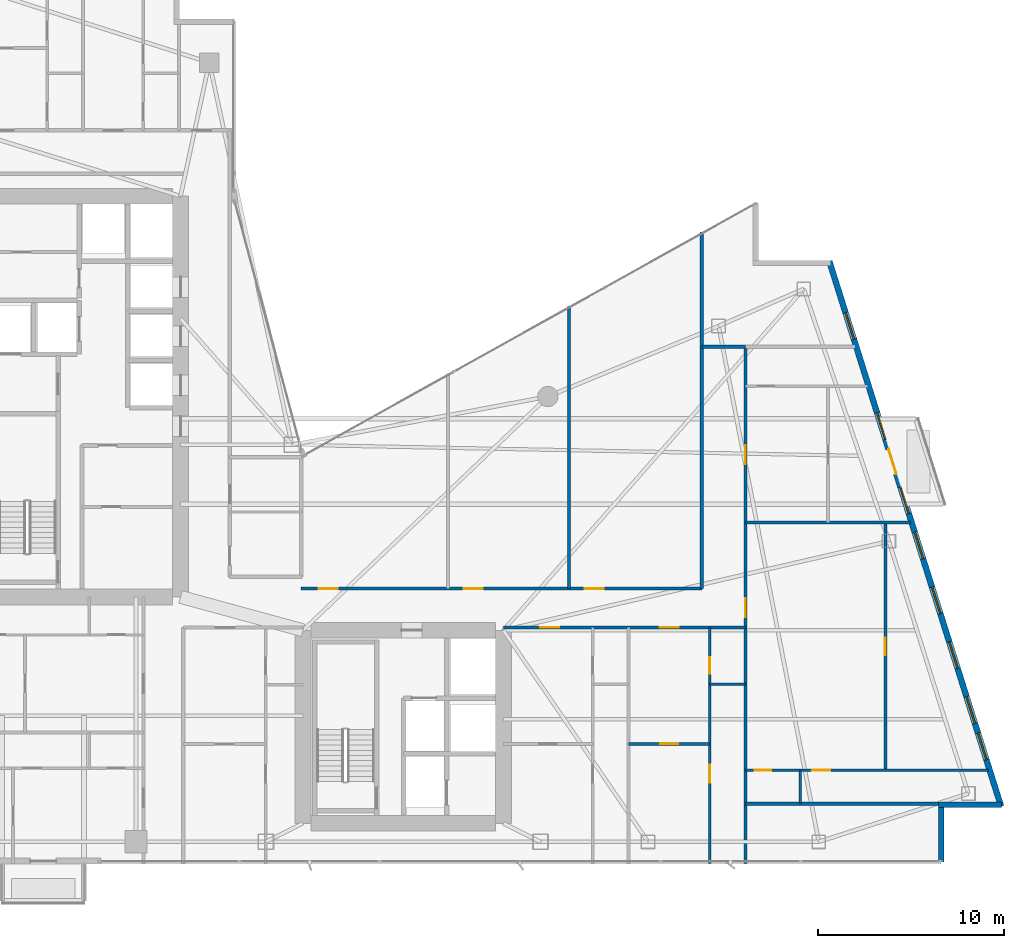
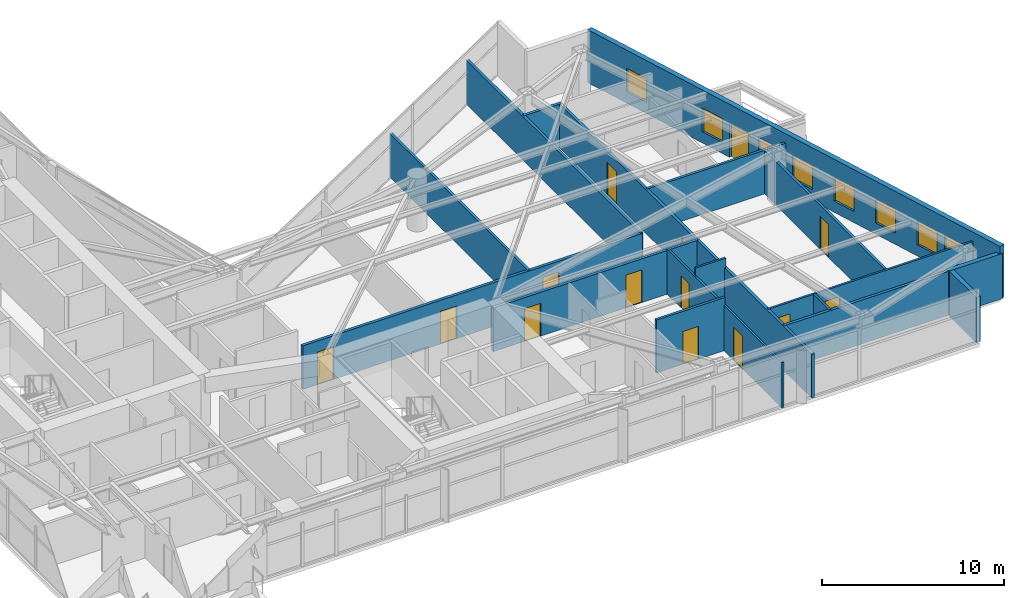
# One storey, part 24 of 28: 17 walls, 14 doors, 8 windows, 22 openings.
"""IFC4 building model written with IfcOpenShell, lengths in metres."""

from ifc_helpers import new_model, si_unit, direction, frame, frame_2d, origin, place, context, subcontext, project, spatial, rectangle, extrude, material, layer, layer_set, type_object, element, fill, save


model = new_model("IFC4")

# Units and contexts
model_context = context("Model", 3, precision=1e-05, world=origin(), true_north=direction((0.0, 1.0)))
body_context = subcontext(model_context, "Body", "Model", "MODEL_VIEW")
ifc_project = project(units=[si_unit("LENGTHUNIT", "METRE"), si_unit("AREAUNIT", "SQUARE_METRE"), si_unit("VOLUMEUNIT", "CUBIC_METRE"), si_unit("PLANEANGLEUNIT", "RADIAN"), si_unit("MASSUNIT", "GRAM", prefix="KILO")], contexts=[model_context])

# Site, building, storey
site_placement = place(None, origin())
site = spatial("IfcSite", under=ifc_project, at=site_placement, CompositionType="ELEMENT")
building_placement = place(site_placement, origin())
building = spatial("IfcBuilding", under=site, at=building_placement, Name="Calvorn Quay Hotel", CompositionType="ELEMENT")
storey_placement = place(building_placement, frame((0.0, 0.0, 159.89990234375)))
storey = spatial("IfcBuildingStorey", under=building, at=storey_placement, Name="L39", CompositionType="ELEMENT", Elevation=159.89990234375)

# Wall, openings, doors
ifc_material_1 = material(Name="Acoustic Fireboard Steel-Stud Partition", Category="steel")
ifc_layer_1 = layer(ifc_material_1, 0.179931640625)
ifc_layer_set_1 = layer_set([ifc_layer_1], Name="WL-CORR-FIRE-180")
wall_type_1 = type_object("IfcWallType", Name="WL-CORR-FIRE-180", PredefinedType="PARTITIONING", material=ifc_layer_set_1)
wall_1_placement = place(storey_placement, frame((32.39990234375, 15.14990234375, 0.0), z_axis=(0.0, 0.0, 1.0), x_axis=(1.0, 0.0, 0.0)))
wall_1 = element("IfcWall", 1, at=wall_1_placement, inside=storey, type_object=wall_type_1, Name="Partition Wall L39-WL-CORR-SE-S", PredefinedType="PARTITIONING", context=body_context, shape_type="SweptSolid", body=[
    extrude(rectangle(XDim=13.050048828125, YDim=0.179931640625, at=frame_2d((6.52490234375, 0.0))), origin(), (0.0, 0.0, 1.0), 2.940185546875),
])
opening_1_placement = place(wall_1_placement, frame((2.0, 0.0, 0.0)))
opening_1 = element("IfcOpeningElement", 2, at=opening_1_placement, cuts=wall_1, Name="Opening D-L39-U06", PredefinedType="OPENING", context=body_context, shape_type="SweptSolid", body=[
    extrude(rectangle(XDim=1.02001953125, YDim=2.199951171875, at=frame_2d((0.510009765625, 1.10009765625))), frame((0.0, 0.099853515625, 0.0), z_axis=(0.0, -1.0, 0.0), x_axis=(1.0, 0.0, 0.0)), (0.0, 0.0, 1.0), 0.199951171875),
])
opening_2_placement = place(wall_1_placement, frame((8.429931640625, 0.0, 0.0)))
opening_2 = element("IfcOpeningElement", 3, at=opening_2_placement, cuts=wall_1, Name="Opening D-L39-U07", PredefinedType="OPENING", context=body_context, shape_type="SweptSolid", body=[
    extrude(rectangle(XDim=1.02001953125, YDim=2.199951171875, at=frame_2d((0.510009765625, 1.10009765625))), frame((0.0, 0.099853515625, 0.0), z_axis=(0.0, -1.0, 0.0), x_axis=(1.0, 0.0, 0.0)), (0.0, 0.0, 1.0), 0.199951171875),
])
ifc_material_2 = material(Name="Solid-Core Walnut Veneer Hotel Fire Door")
door_type_1 = type_object("IfcDoorType", Name="DR-GUEST-ENTRY-1020", OperationType="NOTDEFINED", PredefinedType="DOOR", material=ifc_material_2)
door_1_placement = place(opening_1_placement, origin())
door_1 = element("IfcDoor", 4, at=door_1_placement, inside=storey, type_object=door_type_1, Name="South-East Unit Door U06 (L39)", OperationType="SINGLE_SWING_LEFT", OverallHeight=2.199951171875, OverallWidth=1.02001953125, PredefinedType="DOOR", context=body_context, shape_type="SweptSolid", body=[
    extrude(rectangle(XDim=1.02001953125, YDim=2.199951171875, at=frame_2d((0.510009765625, 1.10009765625))), frame((0.0, 0.02490234375, 0.0), z_axis=(0.0, -1.0, 0.0), x_axis=(1.0, 0.0, 0.0)), (0.0, 0.0, 1.0), 0.050048828125),
])
fill(opening_1, door_1)
door_2_placement = place(opening_2_placement, origin())
door_2 = element("IfcDoor", 5, at=door_2_placement, inside=storey, type_object=door_type_1, Name="South-East Unit Door U07 (L39)", OperationType="SINGLE_SWING_RIGHT", OverallHeight=2.199951171875, OverallWidth=1.02001953125, PredefinedType="DOOR", context=body_context, shape_type="SweptSolid", body=[
    extrude(rectangle(XDim=1.02001953125, YDim=2.199951171875, at=frame_2d((0.510009765625, 1.10009765625))), frame((0.0, 0.02490234375, 0.0), z_axis=(0.0, -1.0, 0.0), x_axis=(1.0, 0.0, 0.0)), (0.0, 0.0, 1.0), 0.050048828125),
])
fill(opening_2, door_2)

wall_2_placement = place(storey_placement, frame((21.5, 17.25, 0.0), z_axis=(0.0, 0.0, 1.0), x_axis=(1.0, 0.0, 0.0)))
wall_2 = element("IfcWall", 6, at=wall_2_placement, inside=storey, type_object=wall_type_1, Name="Partition Wall L39-WL-CORR-NE-N", PredefinedType="PARTITIONING", context=body_context, shape_type="SweptSolid", body=[
    extrude(rectangle(XDim=21.60009765625, YDim=0.179931640625, at=frame_2d((10.800048828125, 0.0))), origin(), (0.0, 0.0, 1.0), 2.940185546875),
])
opening_3_placement = place(wall_2_placement, frame((0.949951171875, 0.0, 0.0)))
opening_3 = element("IfcOpeningElement", 7, at=opening_3_placement, cuts=wall_2, Name="Opening D-L39-NS1", PredefinedType="OPENING", context=body_context, shape_type="SweptSolid", body=[
    extrude(rectangle(XDim=1.02001953125, YDim=2.199951171875, at=frame_2d((0.510009765625, 1.10009765625))), frame((0.0, 0.099853515625, 0.0), z_axis=(0.0, -1.0, 0.0), x_axis=(1.0, 0.0, 0.0)), (0.0, 0.0, 1.0), 0.199951171875),
])
opening_4_placement = place(wall_2_placement, frame((8.77001953125, 0.0, 0.0)))
opening_4 = element("IfcOpeningElement", 8, at=opening_4_placement, cuts=wall_2, Name="Opening D-L39-NS2", PredefinedType="OPENING", context=body_context, shape_type="SweptSolid", body=[
    extrude(rectangle(XDim=1.02001953125, YDim=2.199951171875, at=frame_2d((0.510009765625, 1.10009765625))), frame((0.0, 0.099853515625, 0.0), z_axis=(0.0, -1.0, 0.0), x_axis=(1.0, 0.0, 0.0)), (0.0, 0.0, 1.0), 0.199951171875),
])
opening_5_placement = place(wall_2_placement, frame((15.280029296875, 0.0, 0.0)))
opening_5 = element("IfcOpeningElement", 9, at=opening_5_placement, cuts=wall_2, Name="Opening D-L39-NS3", PredefinedType="OPENING", context=body_context, shape_type="SweptSolid", body=[
    extrude(rectangle(XDim=1.02001953125, YDim=2.199951171875, at=frame_2d((0.510009765625, 1.10009765625))), frame((0.0, 0.099853515625, 0.0), z_axis=(0.0, -1.0, 0.0), x_axis=(1.0, 0.0, 0.0)), (0.0, 0.0, 1.0), 0.199951171875),
])
door_3_placement = place(opening_3_placement, origin())
door_3 = element("IfcDoor", 10, at=door_3_placement, inside=storey, type_object=door_type_1, Name="Conservatory Salon Door 1 (L39)", OperationType="SINGLE_SWING_RIGHT", OverallHeight=2.199951171875, OverallWidth=1.02001953125, PredefinedType="DOOR", context=body_context, shape_type="SweptSolid", body=[
    extrude(rectangle(XDim=1.02001953125, YDim=2.199951171875, at=frame_2d((0.510009765625, 1.10009765625))), frame((0.0, 0.02490234375, 0.0), z_axis=(0.0, -1.0, 0.0), x_axis=(1.0, 0.0, 0.0)), (0.0, 0.0, 1.0), 0.050048828125),
])
fill(opening_3, door_3)
door_4_placement = place(opening_4_placement, origin())
door_4 = element("IfcDoor", 11, at=door_4_placement, inside=storey, type_object=door_type_1, Name="Conservatory Salon Door 2 (L39)", OperationType="SINGLE_SWING_LEFT", OverallHeight=2.199951171875, OverallWidth=1.02001953125, PredefinedType="DOOR", context=body_context, shape_type="SweptSolid", body=[
    extrude(rectangle(XDim=1.02001953125, YDim=2.199951171875, at=frame_2d((0.510009765625, 1.10009765625))), frame((0.0, 0.02490234375, 0.0), z_axis=(0.0, -1.0, 0.0), x_axis=(1.0, 0.0, 0.0)), (0.0, 0.0, 1.0), 0.050048828125),
])
fill(opening_4, door_4)
door_5_placement = place(opening_5_placement, origin())
door_5 = element("IfcDoor", 12, at=door_5_placement, inside=storey, type_object=door_type_1, Name="Conservatory Salon Door 3 (L39)", OperationType="SINGLE_SWING_RIGHT", OverallHeight=2.199951171875, OverallWidth=1.02001953125, PredefinedType="DOOR", context=body_context, shape_type="SweptSolid", body=[
    extrude(rectangle(XDim=1.02001953125, YDim=2.199951171875, at=frame_2d((0.510009765625, 1.10009765625))), frame((0.0, 0.02490234375, 0.0), z_axis=(0.0, -1.0, 0.0), x_axis=(1.0, 0.0, 0.0)), (0.0, 0.0, 1.0), 0.050048828125),
])
fill(opening_5, door_5)

# Walls
wall_3_placement = place(storey_placement, frame((43.10009765625, 17.25, 0.0), z_axis=(0.0, 0.0, 1.0), x_axis=(0.0, 1.0, 0.0)))
element("IfcWall", 13, at=wall_3_placement, inside=storey, type_object=wall_type_1, Name="Partition Wall L39-WL-NE-END-E", PredefinedType="PARTITIONING", context=body_context, shape_type="SweptSolid", body=[
    extrude(rectangle(XDim=19.2099609375, YDim=0.179931640625, at=frame_2d((9.60498046875, 0.0))), origin(), (0.0, 0.0, 1.0), 2.940185546875),
])
wall_4_placement = place(storey_placement, frame((45.449951171875, 5.659912109375, 0.0), z_axis=(0.0, 0.0, 1.0), x_axis=(1.0, 0.0, 0.0)))
element("IfcWall", 14, at=wall_4_placement, inside=storey, type_object=wall_type_1, Name="Partition Wall L39-WL-TIP-S", PredefinedType="PARTITIONING", context=body_context, shape_type="SweptSolid", body=[
    extrude(rectangle(XDim=10.550048828125, YDim=0.179931640625, at=frame_2d((5.27490234375, 0.0))), origin(), (0.0, 0.0, 1.0), 2.940185546875),
])

# Wall, openings, doors
wall_5_placement = place(storey_placement, frame((45.449951171875, 2.43994140625, 0.0), z_axis=(0.0, 0.0, 1.0), x_axis=(0.0, 1.0, 0.0)))
wall_5 = element("IfcWall", 15, at=wall_5_placement, inside=storey, type_object=wall_type_1, Name="Partition Wall L39-WL-CORR-TIP-E", PredefinedType="PARTITIONING", context=body_context, shape_type="SweptSolid", body=[
    extrude(rectangle(XDim=27.840087890625, YDim=0.179931640625, at=frame_2d((13.919921875, 0.0))), origin(), (0.0, 0.0, 1.0), 2.940185546875),
])
opening_6_placement = place(wall_5_placement, frame((13.260009765625, 0.0, 0.0)))
opening_6 = element("IfcOpeningElement", 16, at=opening_6_placement, cuts=wall_5, Name="Opening D-L39-U08", PredefinedType="OPENING", context=body_context, shape_type="SweptSolid", body=[
    extrude(rectangle(XDim=1.02001953125, YDim=2.199951171875, at=frame_2d((0.510009765625, 1.10009765625))), frame((0.0, 0.099853515625, 0.0), z_axis=(0.0, -1.0, 0.0), x_axis=(1.0, 0.0, 0.0)), (0.0, 0.0, 1.0), 0.199951171875),
])
opening_7_placement = place(wall_5_placement, frame((21.52001953125, 0.0, 0.0)))
opening_7 = element("IfcOpeningElement", 17, at=opening_7_placement, cuts=wall_5, Name="Opening D-L39-U09", PredefinedType="OPENING", context=body_context, shape_type="SweptSolid", body=[
    extrude(rectangle(XDim=1.02001953125, YDim=2.199951171875, at=frame_2d((0.510009765625, 1.10009765625))), frame((0.0, 0.099853515625, 0.0), z_axis=(0.0, -1.0, 0.0), x_axis=(1.0, 0.0, 0.0)), (0.0, 0.0, 1.0), 0.199951171875),
])
door_6_placement = place(opening_6_placement, origin())
door_6 = element("IfcDoor", 18, at=door_6_placement, inside=storey, type_object=door_type_1, Name="Terrace Suite Door U08 (L39)", OperationType="SINGLE_SWING_LEFT", OverallHeight=2.199951171875, OverallWidth=1.02001953125, PredefinedType="DOOR", context=body_context, shape_type="SweptSolid", body=[
    extrude(rectangle(XDim=1.02001953125, YDim=2.199951171875, at=frame_2d((0.510009765625, 1.10009765625))), frame((0.0, 0.02490234375, 0.0), z_axis=(0.0, -1.0, 0.0), x_axis=(1.0, 0.0, 0.0)), (0.0, 0.0, 1.0), 0.050048828125),
])
fill(opening_6, door_6)
door_7_placement = place(opening_7_placement, origin())
door_7 = element("IfcDoor", 19, at=door_7_placement, inside=storey, type_object=door_type_1, Name="Horizon Suite Door U09 (L39)", OperationType="SINGLE_SWING_RIGHT", OverallHeight=2.199951171875, OverallWidth=1.02001953125, PredefinedType="DOOR", context=body_context, shape_type="SweptSolid", body=[
    extrude(rectangle(XDim=1.02001953125, YDim=2.199951171875, at=frame_2d((0.510009765625, 1.10009765625))), frame((0.0, 0.02490234375, 0.0), z_axis=(0.0, -1.0, 0.0), x_axis=(1.0, 0.0, 0.0)), (0.0, 0.0, 1.0), 0.050048828125),
])
fill(opening_7, door_7)

# Walls
wall_6_placement = place(storey_placement, frame((43.10009765625, 30.280029296875, 0.0), z_axis=(0.0, 0.0, 1.0), x_axis=(1.0, 0.0, 0.0)))
element("IfcWall", 20, at=wall_6_placement, inside=storey, type_object=wall_type_1, Name="Partition Wall L39-WL-CORR-TIP-NN", PredefinedType="PARTITIONING", context=body_context, shape_type="SweptSolid", body=[
    extrude(rectangle(XDim=2.349853515625, YDim=0.179931640625, at=frame_2d((1.1748046875, 0.0))), origin(), (0.0, 0.0, 1.0), 2.940185546875),
])
ifc_material_3 = material(Name="Moisture-Resistant Tile-Backed Partition")
ifc_layer_2 = layer(ifc_material_3, 0.125)
ifc_layer_set_2 = layer_set([ifc_layer_2], Name="WL-ENSUITE-125")
wall_type_2 = type_object("IfcWallType", Name="WL-ENSUITE-125", PredefinedType="PARTITIONING", material=ifc_layer_set_2)
wall_7_placement = place(storey_placement, frame((43.52001953125, 12.10009765625, 0.0), z_axis=(0.0, 0.0, 1.0), x_axis=(1.0, 0.0, 0.0)))
element("IfcWall", 21, at=wall_7_placement, inside=storey, type_object=wall_type_2, Name="Partition Wall L39-WL-U07-BDV", PredefinedType="PARTITIONING", context=body_context, shape_type="SweptSolid", body=[
    extrude(rectangle(XDim=1.929931640625, YDim=0.125, at=frame_2d((0.96484375, 0.0))), origin(), (0.0, 0.0, 1.0), 3.56005859375),
])

# Wall, openings, doors
wall_8_placement = place(storey_placement, frame((43.52001953125, 2.43994140625, 0.0), z_axis=(0.0, 0.0, 1.0), x_axis=(0.0, 1.0, 0.0)))
wall_8 = element("IfcWall", 22, at=wall_8_placement, inside=storey, type_object=wall_type_2, Name="Partition Wall L39-WL-U07-BV", PredefinedType="PARTITIONING", context=body_context, shape_type="SweptSolid", body=[
    extrude(rectangle(XDim=12.7099609375, YDim=0.125, at=frame_2d((6.35498046875, 0.0))), origin(), (0.0, 0.0, 1.0), 3.0400390625),
])
opening_8_placement = place(wall_8_placement, frame((4.35009765625, 0.0, 0.0)))
opening_8 = element("IfcOpeningElement", 23, at=opening_8_placement, cuts=wall_8, Name="Opening D-L39-S07", PredefinedType="OPENING", context=body_context, shape_type="SweptSolid", body=[
    extrude(rectangle(XDim=0.9599609375, YDim=2.199951171875, at=frame_2d((0.47998046875, 1.10009765625))), frame((0.0, 0.072509765625, 0.0), z_axis=(0.0, -1.0, 0.0), x_axis=(1.0, 0.0, 0.0)), (0.0, 0.0, 1.0), 0.14501953125),
])
opening_9_placement = place(wall_8_placement, frame((10.2099609375, 0.0, 0.0)))
opening_9 = element("IfcOpeningElement", 24, at=opening_9_placement, cuts=wall_8, Name="Opening D-L39-E07", PredefinedType="OPENING", context=body_context, shape_type="SweptSolid", body=[
    extrude(rectangle(XDim=0.89990234375, YDim=2.14990234375, at=frame_2d((0.449951171875, 1.074951171875))), frame((0.0, 0.072509765625, 0.0), z_axis=(0.0, -1.0, 0.0), x_axis=(1.0, 0.0, 0.0)), (0.0, 0.0, 1.0), 0.14501953125),
])
ifc_material_4 = material(Name="Moisture-Sealed Timber En-Suite Door", Category="wood")
door_type_2 = type_object("IfcDoorType", Name="DR-ENSUITE-900", OperationType="NOTDEFINED", PredefinedType="DOOR", material=ifc_material_4)
door_8_placement = place(opening_9_placement, origin())
door_8 = element("IfcDoor", 25, at=door_8_placement, inside=storey, type_object=door_type_2, Name="En-Suite Door 07", OperationType="SINGLE_SWING_RIGHT", OverallHeight=2.14990234375, OverallWidth=0.89990234375, PredefinedType="DOOR", context=body_context, shape_type="SweptSolid", body=[
    extrude(rectangle(XDim=0.89990234375, YDim=2.14990234375, at=frame_2d((0.449951171875, 1.074951171875))), frame((0.0, 0.02490234375, 0.0), z_axis=(0.0, -1.0, 0.0), x_axis=(1.0, 0.0, 0.0)), (0.0, 0.0, 1.0), 0.050048828125),
])
fill(opening_9, door_8)
ifc_material_5 = material(Name="Solid Timber Internal Suite Door", Category="wood")
door_type_3 = type_object("IfcDoorType", Name="DR-SUITE-INT-960", OperationType="NOTDEFINED", PredefinedType="DOOR", material=ifc_material_5)
door_9_placement = place(opening_8_placement, origin())
door_9 = element("IfcDoor", 26, at=door_9_placement, inside=storey, type_object=door_type_3, Name="Botanical Winter Garden Door 07", OperationType="SINGLE_SWING_LEFT", OverallHeight=2.199951171875, OverallWidth=0.9599609375, PredefinedType="DOOR", context=body_context, shape_type="SweptSolid", body=[
    extrude(rectangle(XDim=0.9599609375, YDim=2.199951171875, at=frame_2d((0.47998046875, 1.10009765625))), frame((0.0, 0.02490234375, 0.0), z_axis=(0.0, -1.0, 0.0), x_axis=(1.0, 0.0, 0.0)), (0.0, 0.0, 1.0), 0.050048828125),
])
fill(opening_8, door_9)

# Wall
wall_9_placement = place(storey_placement, frame((48.39990234375, 5.659912109375, 0.0), z_axis=(0.0, 0.0, 1.0), x_axis=(0.0, 1.0, 0.0)))
element("IfcWall", 27, at=wall_9_placement, inside=storey, type_object=wall_type_2, Name="Partition Wall L39-WL-U08-BDV", PredefinedType="PARTITIONING", context=body_context, shape_type="SweptSolid", body=[
    extrude(rectangle(XDim=1.7900390625, YDim=0.125, at=frame_2d((0.89501953125, 0.0))), origin(), (0.0, 0.0, 1.0), 2.940185546875),
])

# Wall, openings, doors
wall_10_placement = place(storey_placement, frame((45.449951171875, 7.449951171875, 0.0), z_axis=(0.0, 0.0, 1.0), x_axis=(1.0, 0.0, 0.0)))
wall_10 = element("IfcWall", 28, at=wall_10_placement, inside=storey, type_object=wall_type_2, Name="Partition Wall L39-WL-U08-BH", PredefinedType="PARTITIONING", context=body_context, shape_type="SweptSolid", body=[
    extrude(rectangle(XDim=13.110107421875, YDim=0.125, at=frame_2d((6.55517578125, 0.0))), origin(), (0.0, 0.0, 1.0), 2.940185546875),
])
opening_10_placement = place(wall_10_placement, frame((0.5, 0.0, 0.0)))
opening_10 = element("IfcOpeningElement", 29, at=opening_10_placement, cuts=wall_10, Name="Opening D-L39-E08", PredefinedType="OPENING", context=body_context, shape_type="SweptSolid", body=[
    extrude(rectangle(XDim=0.89990234375, YDim=2.14990234375, at=frame_2d((0.449951171875, 1.074951171875))), frame((0.0, 0.072509765625, 0.0), z_axis=(0.0, -1.0, 0.0), x_axis=(1.0, 0.0, 0.0)), (0.0, 0.0, 1.0), 0.14501953125),
])
opening_11_placement = place(wall_10_placement, frame((3.60009765625, 0.0, 0.0)))
opening_11 = element("IfcOpeningElement", 30, at=opening_11_placement, cuts=wall_10, Name="Opening D-L39-S08", PredefinedType="OPENING", context=body_context, shape_type="SweptSolid", body=[
    extrude(rectangle(XDim=0.9599609375, YDim=2.199951171875, at=frame_2d((0.47998046875, 1.10009765625))), frame((0.0, 0.072509765625, 0.0), z_axis=(0.0, -1.0, 0.0), x_axis=(1.0, 0.0, 0.0)), (0.0, 0.0, 1.0), 0.14501953125),
])
door_10_placement = place(opening_10_placement, origin())
door_10 = element("IfcDoor", 31, at=door_10_placement, inside=storey, type_object=door_type_2, Name="En-Suite Door 08", OperationType="SINGLE_SWING_LEFT", OverallHeight=2.14990234375, OverallWidth=0.89990234375, PredefinedType="DOOR", context=body_context, shape_type="SweptSolid", body=[
    extrude(rectangle(XDim=0.89990234375, YDim=2.14990234375, at=frame_2d((0.449951171875, 1.074951171875))), frame((0.0, 0.02490234375, 0.0), z_axis=(0.0, -1.0, 0.0), x_axis=(1.0, 0.0, 0.0)), (0.0, 0.0, 1.0), 0.050048828125),
])
fill(opening_10, door_10)
door_11_placement = place(opening_11_placement, origin())
door_11 = element("IfcDoor", 32, at=door_11_placement, inside=storey, type_object=door_type_3, Name="Botanical Winter Garden Door 08", OperationType="SINGLE_SWING_RIGHT", OverallHeight=2.199951171875, OverallWidth=0.9599609375, PredefinedType="DOOR", context=body_context, shape_type="SweptSolid", body=[
    extrude(rectangle(XDim=0.9599609375, YDim=2.199951171875, at=frame_2d((0.47998046875, 1.10009765625))), frame((0.0, 0.02490234375, 0.0), z_axis=(0.0, -1.0, 0.0), x_axis=(1.0, 0.0, 0.0)), (0.0, 0.0, 1.0), 0.050048828125),
])
fill(opening_11, door_11)

# Walls
ifc_material_6 = material(Name="Concrete C40", Category="concrete")
ifc_layer_3 = layer(ifc_material_6, 0.320068359375)
ifc_layer_set_3 = layer_set([ifc_layer_3], Name="WL-EXT-SPANDREL-320")
wall_type_3 = type_object("IfcWallType", Name="WL-EXT-SPANDREL-320", PredefinedType="SOLIDWALL", material=ifc_layer_set_3)
wall_11_placement = place(storey_placement, frame((56.0, 2.52001953125, 0.0), z_axis=(0.0, 0.0, 1.0), x_axis=(0.0, 1.0, 0.0)))
element("IfcWall", 33, at=wall_11_placement, inside=storey, type_object=wall_type_3, Name="Notched Corner Spandrel L39-SE1", PredefinedType="SOLIDWALL", context=body_context, shape_type="SweptSolid", body=[
    extrude(rectangle(XDim=2.93994140625, YDim=0.280029296875, at=frame_2d((1.469970703125, 0.0))), origin(), (0.0, 0.0, 1.0), 3.0400390625),
])
wall_12_placement = place(storey_placement, frame((55.860107421875, 5.60009765625, 0.0), z_axis=(0.0, 0.0, 1.0), x_axis=(1.0, 0.0, 0.0)))
element("IfcWall", 34, at=wall_12_placement, inside=storey, type_object=wall_type_3, Name="Notched Corner Spandrel L39-SE2", PredefinedType="SOLIDWALL", context=body_context, shape_type="SweptSolid", body=[
    extrude(rectangle(XDim=3.3798828125, YDim=0.280029296875, at=frame_2d((1.68994140625, 0.0))), origin(), (0.0, 0.0, 1.0), 3.0400390625),
])

# Wall, openings, door, windows
wall_13_placement = place(storey_placement, frame((59.22998046875, 5.5048828125, 0.0), z_axis=(0.0, 0.0, 1.0), x_axis=(-0.300509063924, 0.953778958931, 0.0)))
wall_13 = element("IfcWall", 35, at=wall_13_placement, inside=storey, type_object=wall_type_3, Name="East Stepped Waterfront Exterior Wall (L39)", PredefinedType="SOLIDWALL", context=body_context, shape_type="SweptSolid", body=[
    extrude(rectangle(XDim=30.814453125, YDim=0.320068359375, at=frame_2d((15.4072265625, 0.0))), origin(), (0.0, 0.0, 1.0), 3.56005859375),
])
opening_12_placement = place(wall_13_placement, frame((18.7958984375, 0.0, 0.0)))
opening_12 = element("IfcOpeningElement", 36, at=opening_12_placement, cuts=wall_13, Name="Opening DB-L39-1", PredefinedType="OPENING", context=body_context, shape_type="SweptSolid", body=[
    extrude(rectangle(XDim=1.39990234375, YDim=2.25, at=frame_2d((0.699951171875, 1.125))), frame((0.0, 0.169921875, 0.0), z_axis=(0.0, -1.0, 0.0), x_axis=(1.0, 0.0, 0.0)), (0.0, 0.0, 1.0), 0.340087890625),
])
opening_13_placement = place(wall_13_placement, frame((2.64990234375, 0.0, 0.75)))
opening_13 = element("IfcOpeningElement", 37, at=opening_13_placement, cuts=wall_13, Name="Opening WG-L39-E1", PredefinedType="OPENING", context=body_context, shape_type="SweptSolid", body=[
    extrude(rectangle(XDim=1.5, YDim=1.60009765625, at=frame_2d((0.75, 0.800048828125))), frame((0.0, 0.169921875, 0.0), z_axis=(0.0, -1.0, 0.0), x_axis=(1.0, 0.0, 0.0)), (0.0, 0.0, 1.0), 0.340087890625),
])
opening_14_placement = place(wall_13_placement, frame((4.699951171875, 0.0, 0.75)))
opening_14 = element("IfcOpeningElement", 38, at=opening_14_placement, cuts=wall_13, Name="Opening WG-L39-E2", PredefinedType="OPENING", context=body_context, shape_type="SweptSolid", body=[
    extrude(rectangle(XDim=1.5, YDim=1.60009765625, at=frame_2d((0.75, 0.800048828125))), frame((0.0, 0.169921875, 0.0), z_axis=(0.0, -1.0, 0.0), x_axis=(1.0, 0.0, 0.0)), (0.0, 0.0, 1.0), 0.340087890625),
])
opening_15_placement = place(wall_13_placement, frame((7.800048828125, 0.0, 0.75)))
opening_15 = element("IfcOpeningElement", 39, at=opening_15_placement, cuts=wall_13, Name="Opening WG-L39-E3", PredefinedType="OPENING", context=body_context, shape_type="SweptSolid", body=[
    extrude(rectangle(XDim=1.5, YDim=1.60009765625, at=frame_2d((0.75, 0.800048828125))), frame((0.0, 0.169921875, 0.0), z_axis=(0.0, -1.0, 0.0), x_axis=(1.0, 0.0, 0.0)), (0.0, 0.0, 1.0), 0.340087890625),
])
opening_16_placement = place(wall_13_placement, frame((10.89990234375, 0.0, 0.75)))
opening_16 = element("IfcOpeningElement", 40, at=opening_16_placement, cuts=wall_13, Name="Opening WG-L39-E4", PredefinedType="OPENING", context=body_context, shape_type="SweptSolid", body=[
    extrude(rectangle(XDim=1.5, YDim=1.60009765625, at=frame_2d((0.75, 0.800048828125))), frame((0.0, 0.169921875, 0.0), z_axis=(0.0, -1.0, 0.0), x_axis=(1.0, 0.0, 0.0)), (0.0, 0.0, 1.0), 0.340087890625),
])
opening_17_placement = place(wall_13_placement, frame((14.0, 0.0, 0.75)))
opening_17 = element("IfcOpeningElement", 41, at=opening_17_placement, cuts=wall_13, Name="Opening WG-L39-E5", PredefinedType="OPENING", context=body_context, shape_type="SweptSolid", body=[
    extrude(rectangle(XDim=1.5, YDim=1.60009765625, at=frame_2d((0.75, 0.800048828125))), frame((0.0, 0.169921875, 0.0), z_axis=(0.0, -1.0, 0.0), x_axis=(1.0, 0.0, 0.0)), (0.0, 0.0, 1.0), 0.340087890625),
])
opening_18_placement = place(wall_13_placement, frame((16.550048828125, 0.0, 0.75)))
opening_18 = element("IfcOpeningElement", 42, at=opening_18_placement, cuts=wall_13, Name="Opening WG-L39-E6", PredefinedType="OPENING", context=body_context, shape_type="SweptSolid", body=[
    extrude(rectangle(XDim=1.5, YDim=1.60009765625, at=frame_2d((0.75, 0.800048828125))), frame((0.0, 0.169921875, 0.0), z_axis=(0.0, -1.0, 0.0), x_axis=(1.0, 0.0, 0.0)), (0.0, 0.0, 1.0), 0.340087890625),
])
opening_19_placement = place(wall_13_placement, frame((20.75, 0.0, 0.75)))
opening_19 = element("IfcOpeningElement", 43, at=opening_19_placement, cuts=wall_13, Name="Opening WG-L39-E7", PredefinedType="OPENING", context=body_context, shape_type="SweptSolid", body=[
    extrude(rectangle(XDim=1.5, YDim=1.60009765625, at=frame_2d((0.75, 0.800048828125))), frame((0.0, 0.169921875, 0.0), z_axis=(0.0, -1.0, 0.0), x_axis=(1.0, 0.0, 0.0)), (0.0, 0.0, 1.0), 0.340087890625),
])
opening_20_placement = place(wall_13_placement, frame((26.39990234375, 0.0, 0.75)))
opening_20 = element("IfcOpeningElement", 44, at=opening_20_placement, cuts=wall_13, Name="Opening WG-L39-E8", PredefinedType="OPENING", context=body_context, shape_type="SweptSolid", body=[
    extrude(rectangle(XDim=1.5, YDim=1.60009765625, at=frame_2d((0.75, 0.800048828125))), frame((0.0, 0.169921875, 0.0), z_axis=(0.0, -1.0, 0.0), x_axis=(1.0, 0.0, 0.0)), (0.0, 0.0, 1.0), 0.340087890625),
])
ifc_material_7 = material(Name="Typhoon-Rated Low-E Aluminium Terrace Door", Category="aluminium")
door_type_4 = type_object("IfcDoorType", Name="DR-BALCONY-GLZ-1400", OperationType="NOTDEFINED", PredefinedType="DOOR", material=ifc_material_7)
door_12_placement = place(opening_12_placement, origin())
door_12 = element("IfcDoor", 45, at=door_12_placement, inside=storey, type_object=door_type_4, Name="Tree Balcony Terrace Door L39-BALC-E", OperationType="SINGLE_SWING_LEFT", OverallHeight=2.25, OverallWidth=1.39990234375, PredefinedType="DOOR", context=body_context, shape_type="SweptSolid", body=[
    extrude(rectangle(XDim=1.39990234375, YDim=2.25, at=frame_2d((0.699951171875, 1.125))), frame((0.0, 0.02490234375, 0.0), z_axis=(0.0, -1.0, 0.0), x_axis=(1.0, 0.0, 0.0)), (0.0, 0.0, 1.0), 0.050048828125),
])
fill(opening_12, door_12)
ifc_material_8 = material(Name="Self-Closing Class B Fire Window")
window_type = type_object("IfcWindowType", Name="WIN-REFUGE-1500x1600", PartitioningType="SINGLE_PANEL", PredefinedType="WINDOW", material=ifc_material_8)
window_1_placement = place(opening_13_placement, origin())
window_1 = element("IfcWindow", 46, at=window_1_placement, inside=storey, type_object=window_type, Name="East Facade Window L39-E1", OverallHeight=1.60009765625, OverallWidth=1.5, PartitioningType="SINGLE_PANEL", PredefinedType="WINDOW", context=body_context, shape_type="SweptSolid", body=[
    extrude(rectangle(XDim=1.5, YDim=1.60009765625, at=frame_2d((0.75, 0.800048828125))), frame((0.0, 0.030029296875, 0.0), z_axis=(0.0, -1.0, 0.0), x_axis=(1.0, 0.0, 0.0)), (0.0, 0.0, 1.0), 0.06005859375),
])
fill(opening_13, window_1)
window_2_placement = place(opening_14_placement, origin())
window_2 = element("IfcWindow", 47, at=window_2_placement, inside=storey, type_object=window_type, Name="East Facade Window L39-E2", OverallHeight=1.60009765625, OverallWidth=1.5, PartitioningType="SINGLE_PANEL", PredefinedType="WINDOW", context=body_context, shape_type="SweptSolid", body=[
    extrude(rectangle(XDim=1.5, YDim=1.60009765625, at=frame_2d((0.75, 0.800048828125))), frame((0.0, 0.030029296875, 0.0), z_axis=(0.0, -1.0, 0.0), x_axis=(1.0, 0.0, 0.0)), (0.0, 0.0, 1.0), 0.06005859375),
])
fill(opening_14, window_2)
window_3_placement = place(opening_15_placement, origin())
window_3 = element("IfcWindow", 48, at=window_3_placement, inside=storey, type_object=window_type, Name="East Facade Window L39-E3", OverallHeight=1.60009765625, OverallWidth=1.5, PartitioningType="SINGLE_PANEL", PredefinedType="WINDOW", context=body_context, shape_type="SweptSolid", body=[
    extrude(rectangle(XDim=1.5, YDim=1.60009765625, at=frame_2d((0.75, 0.800048828125))), frame((0.0, 0.030029296875, 0.0), z_axis=(0.0, -1.0, 0.0), x_axis=(1.0, 0.0, 0.0)), (0.0, 0.0, 1.0), 0.06005859375),
])
fill(opening_15, window_3)
window_4_placement = place(opening_16_placement, origin())
window_4 = element("IfcWindow", 49, at=window_4_placement, inside=storey, type_object=window_type, Name="East Facade Window L39-E4", OverallHeight=1.60009765625, OverallWidth=1.5, PartitioningType="SINGLE_PANEL", PredefinedType="WINDOW", context=body_context, shape_type="SweptSolid", body=[
    extrude(rectangle(XDim=1.5, YDim=1.60009765625, at=frame_2d((0.75, 0.800048828125))), frame((0.0, 0.030029296875, 0.0), z_axis=(0.0, -1.0, 0.0), x_axis=(1.0, 0.0, 0.0)), (0.0, 0.0, 1.0), 0.06005859375),
])
fill(opening_16, window_4)
window_5_placement = place(opening_17_placement, origin())
window_5 = element("IfcWindow", 50, at=window_5_placement, inside=storey, type_object=window_type, Name="East Facade Window L39-E5", OverallHeight=1.60009765625, OverallWidth=1.5, PartitioningType="SINGLE_PANEL", PredefinedType="WINDOW", context=body_context, shape_type="SweptSolid", body=[
    extrude(rectangle(XDim=1.5, YDim=1.60009765625, at=frame_2d((0.75, 0.800048828125))), frame((0.0, 0.030029296875, 0.0), z_axis=(0.0, -1.0, 0.0), x_axis=(1.0, 0.0, 0.0)), (0.0, 0.0, 1.0), 0.06005859375),
])
fill(opening_17, window_5)
window_6_placement = place(opening_18_placement, origin())
window_6 = element("IfcWindow", 51, at=window_6_placement, inside=storey, type_object=window_type, Name="East Facade Window L39-E6", OverallHeight=1.60009765625, OverallWidth=1.5, PartitioningType="SINGLE_PANEL", PredefinedType="WINDOW", context=body_context, shape_type="SweptSolid", body=[
    extrude(rectangle(XDim=1.5, YDim=1.60009765625, at=frame_2d((0.75, 0.800048828125))), frame((0.0, 0.030029296875, 0.0), z_axis=(0.0, -1.0, 0.0), x_axis=(1.0, 0.0, 0.0)), (0.0, 0.0, 1.0), 0.06005859375),
])
fill(opening_18, window_6)
window_7_placement = place(opening_19_placement, origin())
window_7 = element("IfcWindow", 52, at=window_7_placement, inside=storey, type_object=window_type, Name="East Facade Window L39-E7", OverallHeight=1.60009765625, OverallWidth=1.5, PartitioningType="SINGLE_PANEL", PredefinedType="WINDOW", context=body_context, shape_type="SweptSolid", body=[
    extrude(rectangle(XDim=1.5, YDim=1.60009765625, at=frame_2d((0.75, 0.800048828125))), frame((0.0, 0.030029296875, 0.0), z_axis=(0.0, -1.0, 0.0), x_axis=(1.0, 0.0, 0.0)), (0.0, 0.0, 1.0), 0.06005859375),
])
fill(opening_19, window_7)
window_8_placement = place(opening_20_placement, origin())
window_8 = element("IfcWindow", 53, at=window_8_placement, inside=storey, type_object=window_type, Name="East Facade Window L39-E8", OverallHeight=1.60009765625, OverallWidth=1.5, PartitioningType="SINGLE_PANEL", PredefinedType="WINDOW", context=body_context, shape_type="SweptSolid", body=[
    extrude(rectangle(XDim=1.5, YDim=1.60009765625, at=frame_2d((0.75, 0.800048828125))), frame((0.0, 0.030029296875, 0.0), z_axis=(0.0, -1.0, 0.0), x_axis=(1.0, 0.0, 0.0)), (0.0, 0.0, 1.0), 0.06005859375),
])
fill(opening_20, window_8)

# Wall, opening, door
ifc_material_9 = material(Name="Double-Stud Acoustic Gypsum Partition")
ifc_layer_4 = layer(ifc_material_9, 0.159912109375)
ifc_layer_set_4 = layer_set([ifc_layer_4], Name="WL-INTERSUITE-160")
wall_type_4 = type_object("IfcWallType", Name="WL-INTERSUITE-160", PredefinedType="PARTITIONING", material=ifc_layer_set_4)
wall_14_placement = place(storey_placement, frame((39.14990234375, 8.8798828125, 0.0), z_axis=(0.0, 0.0, 1.0), x_axis=(1.0, 0.0, 0.0)))
wall_14 = element("IfcWall", 54, at=wall_14_placement, inside=storey, type_object=wall_type_4, Name="Partition Wall L39-WL-U07-MSP", PredefinedType="PARTITIONING", context=body_context, shape_type="SweptSolid", body=[
    extrude(rectangle(XDim=4.3701171875, YDim=0.159912109375, at=frame_2d((2.18505859375, 0.0))), origin(), (0.0, 0.0, 1.0), 3.56005859375),
])
opening_21_placement = place(wall_14_placement, frame((1.7099609375, 0.0, 0.0)))
opening_21 = element("IfcOpeningElement", 55, at=opening_21_placement, cuts=wall_14, Name="Opening D-L39-M07", PredefinedType="OPENING", context=body_context, shape_type="SweptSolid", body=[
    extrude(rectangle(XDim=0.9599609375, YDim=2.199951171875, at=frame_2d((0.47998046875, 1.10009765625))), frame((0.0, 0.08984375, 0.0), z_axis=(0.0, -1.0, 0.0), x_axis=(1.0, 0.0, 0.0)), (0.0, 0.0, 1.0), 0.179931640625),
])
door_13_placement = place(opening_21_placement, origin())
door_13 = element("IfcDoor", 56, at=door_13_placement, inside=storey, type_object=door_type_3, Name="Suite Bedroom Door 07", OperationType="SINGLE_SWING_LEFT", OverallHeight=2.199951171875, OverallWidth=0.9599609375, PredefinedType="DOOR", context=body_context, shape_type="SweptSolid", body=[
    extrude(rectangle(XDim=0.9599609375, YDim=2.199951171875, at=frame_2d((0.47998046875, 1.10009765625))), frame((0.0, 0.02490234375, 0.0), z_axis=(0.0, -1.0, 0.0), x_axis=(1.0, 0.0, 0.0)), (0.0, 0.0, 1.0), 0.050048828125),
])
fill(opening_21, door_13)

# Wall
wall_15_placement = place(storey_placement, frame((35.929931640625, 17.25, 0.0), z_axis=(0.0, 0.0, 1.0), x_axis=(0.0, 1.0, 0.0)))
element("IfcWall", 57, at=wall_15_placement, inside=storey, type_object=wall_type_4, Name="Partition Wall L39-WL-NE-DIV-2", PredefinedType="PARTITIONING", context=body_context, shape_type="SweptSolid", body=[
    extrude(rectangle(XDim=15.219970703125, YDim=0.159912109375, at=frame_2d((7.60986328125, 0.0))), origin(), (0.0, 0.0, 1.0), 2.940185546875),
])

# Wall, opening, door
wall_16_placement = place(storey_placement, frame((52.989990234375, 7.449951171875, 0.0), z_axis=(0.0, 0.0, 1.0), x_axis=(0.0, 1.0, 0.0)))
wall_16 = element("IfcWall", 58, at=wall_16_placement, inside=storey, type_object=wall_type_4, Name="Partition Wall L39-WL-U08-MSP", PredefinedType="PARTITIONING", context=body_context, shape_type="SweptSolid", body=[
    extrude(rectangle(XDim=13.35009765625, YDim=0.159912109375, at=frame_2d((6.675048828125, 0.0))), origin(), (0.0, 0.0, 1.0), 2.940185546875),
])
opening_22_placement = place(wall_16_placement, frame((6.199951171875, 0.0, 0.0)))
opening_22 = element("IfcOpeningElement", 59, at=opening_22_placement, cuts=wall_16, Name="Opening D-L39-M08", PredefinedType="OPENING", context=body_context, shape_type="SweptSolid", body=[
    extrude(rectangle(XDim=0.9599609375, YDim=2.199951171875, at=frame_2d((0.47998046875, 1.10009765625))), frame((0.0, 0.08984375, 0.0), z_axis=(0.0, -1.0, 0.0), x_axis=(1.0, 0.0, 0.0)), (0.0, 0.0, 1.0), 0.179931640625),
])
door_14_placement = place(opening_22_placement, origin())
door_14 = element("IfcDoor", 60, at=door_14_placement, inside=storey, type_object=door_type_3, Name="Suite Bedroom Door 08", OperationType="SINGLE_SWING_LEFT", OverallHeight=2.199951171875, OverallWidth=0.9599609375, PredefinedType="DOOR", context=body_context, shape_type="SweptSolid", body=[
    extrude(rectangle(XDim=0.9599609375, YDim=2.199951171875, at=frame_2d((0.47998046875, 1.10009765625))), frame((0.0, 0.02490234375, 0.0), z_axis=(0.0, -1.0, 0.0), x_axis=(1.0, 0.0, 0.0)), (0.0, 0.0, 1.0), 0.050048828125),
])
fill(opening_22, door_14)

# Wall
wall_17_placement = place(storey_placement, frame((45.449951171875, 20.800048828125, 0.0), z_axis=(0.0, 0.0, 1.0), x_axis=(1.0, 0.0, 0.0)))
element("IfcWall", 61, at=wall_17_placement, inside=storey, type_object=wall_type_4, Name="Partition Wall L39-WL-TIP-DIV", PredefinedType="PARTITIONING", context=body_context, shape_type="SweptSolid", body=[
    extrude(rectangle(XDim=8.900146484375, YDim=0.159912109375, at=frame_2d((4.4501953125, 0.0))), origin(), (0.0, 0.0, 1.0), 2.940185546875),
])

save(model, "model.ifc")
